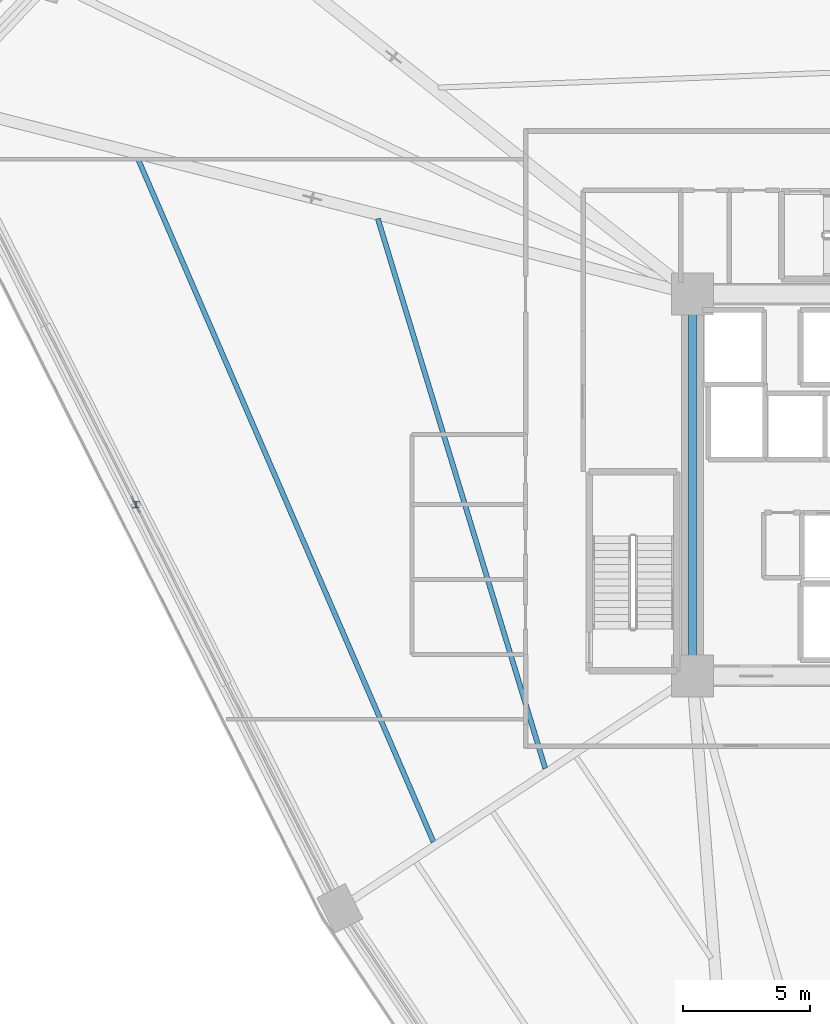
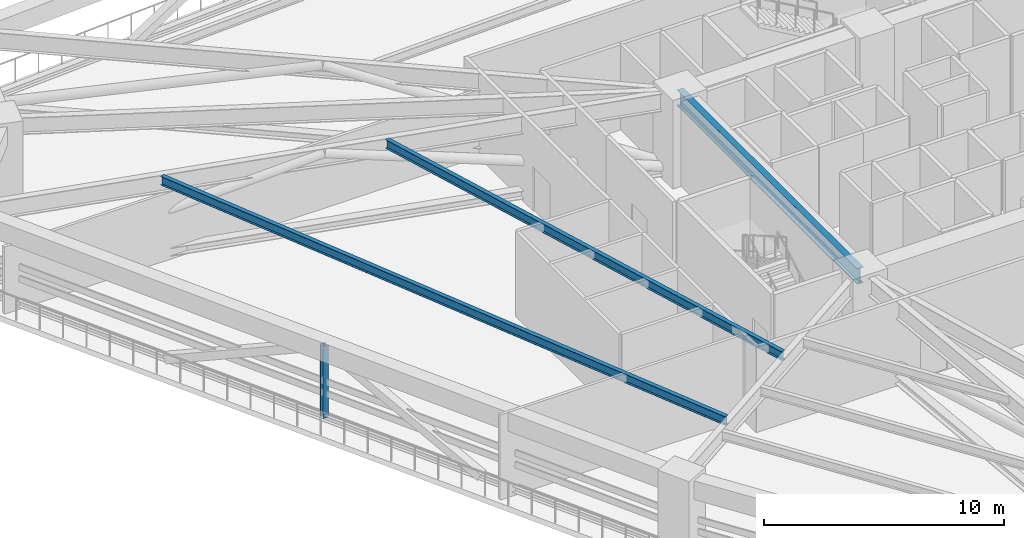
# One storey, part 6 of 25: 3 beams, 1 member.
"""IFC4 building model written with IfcOpenShell, lengths in metres."""

import ifcopenshell
import ifcopenshell.guid

model = None  # the IFC model being written
_history = None  # IfcOwnerHistory: only IFC2X3 demands one
_inside = {}  # id of a spatial element -> (the spatial element, [elements in it])
_under = {}  # id of a project, library or spatial element -> (it, [spatial elements below it])
_declared = {}  # id of a project -> (the project, [libraries it declares])
_typed = {}  # id of a type object -> (the type object, [elements of that type])
_made_of = {}  # id of a material, layer set ... -> (it, [elements and type objects made of it])


def new_model(schema):
    """Start an empty IFC model of exactly this schema.

    Asked for "IFC4X3", IfcOpenShell would pick the latest addendum, in which some entities
    have other attributes; the version numbers below select the first issue.
    IFC2X3 requires an IfcOwnerHistory on every rooted entity: one is made here for all.
    """
    global model, _history
    if schema == "IFC4X3":
        model = ifcopenshell.file(schema_version=(4, 3, 0, 0))
    else:
        model = ifcopenshell.file(schema=schema)
    _inside.clear()
    _under.clear()
    _declared.clear()
    _typed.clear()
    _made_of.clear()
    _history = None
    if model.schema == "IFC2X3":
        org = make("IfcOrganization", Name="unknown")
        user = make(
            "IfcPersonAndOrganization",
            ThePerson=make("IfcPerson", FamilyName="unknown"),
            TheOrganization=org,
        )
        app = make(
            "IfcApplication",
            ApplicationDeveloper=org,
            Version="unknown",
            ApplicationFullName="unknown",
            ApplicationIdentifier="unknown",
        )
        _history = make(
            "IfcOwnerHistory",
            OwningUser=user,
            OwningApplication=app,
            ChangeAction="ADDED",
            CreationDate=0,
        )
    return model


def make(cls, **values):
    """One entity of the class cls with the attributes given. An attribute that is None is left unset."""
    return model.create_entity(
        cls, **{name: value for name, value in values.items() if value is not None}
    )


def rooted(cls, **values):
    """An entity with a GlobalId (a new one), such as an element, a storey or a relation."""
    return make(cls, GlobalId=ifcopenshell.guid.new(), OwnerHistory=_history, **values)


def si_unit(unit_type, name, prefix=None):
    """IfcSIUnit, for example si_unit("LENGTHUNIT", "METRE", prefix="MILLI")."""
    return make("IfcSIUnit", UnitType=unit_type, Prefix=prefix, Name=name)


def assignment(units):
    """IfcUnitAssignment: the units of a project."""
    return None if units is None else make("IfcUnitAssignment", Units=units)


def point(xyz):
    """IfcCartesianPoint."""
    return None if xyz is None else make("IfcCartesianPoint", Coordinates=xyz)


def direction(xyz):
    """IfcDirection."""
    return None if xyz is None else make("IfcDirection", DirectionRatios=xyz)


def frame(location, z_axis=None, x_axis=None):
    """IfcAxis2Placement3D, a coordinate frame: its origin and axes. An axis left out is left unset."""
    return make(
        "IfcAxis2Placement3D",
        Location=point(location),
        Axis=direction(z_axis),
        RefDirection=direction(x_axis),
    )


def frame_2d(location, x_axis=None):
    """IfcAxis2Placement2D, a coordinate frame in the plane: its origin and x axis."""
    return make(
        "IfcAxis2Placement2D", Location=point(location), RefDirection=direction(x_axis)
    )


def origin():
    """The frame at (0, 0, 0) with its axes left unset."""
    return frame((0.0, 0.0, 0.0))


def origin_2d():
    """The frame at (0, 0) in the plane with its x axis left unset."""
    return frame_2d((0.0, 0.0))


def place(relative_to, where):
    """IfcLocalPlacement: puts the frame where relative to a parent placement (None: the world)."""
    return make(
        "IfcLocalPlacement", PlacementRelTo=relative_to, RelativePlacement=where
    )


def context(
    kind, dimensions, precision=None, world=None, true_north=None, identifier=None
):
    """IfcGeometricRepresentationContext, for example the 3D "Model" context."""
    return make(
        "IfcGeometricRepresentationContext",
        ContextIdentifier=identifier,
        ContextType=kind,
        CoordinateSpaceDimension=dimensions,
        Precision=precision,
        WorldCoordinateSystem=world,
        TrueNorth=true_north,
    )


def subcontext(parent, identifier, kind, view, scale=None):
    """IfcGeometricRepresentationSubContext, for example "Body" below "Model"."""
    return make(
        "IfcGeometricRepresentationSubContext",
        ContextIdentifier=identifier,
        ContextType=kind,
        ParentContext=parent,
        TargetScale=scale,
        TargetView=view,
    )


def project(units=None, contexts=None):
    """IfcProject with its units and contexts."""
    return rooted(
        "IfcProject",
        Name="project",
        RepresentationContexts=contexts,
        UnitsInContext=assignment(units),
    )


def spatial(cls, under=None, at=None, **own):
    """A site, building, storey or space (cls), placed at a placement, below another one or the project."""
    s = rooted(cls, ObjectPlacement=at, **own)
    if under is not None:
        _under.setdefault(under.id(), (under, []))[1].append(s)
    return s


def profile(cls, at=None, kind="AREA", **sizes):
    """A parametric profile (cls). Its sizes go by their IFC names, for example OverallWidth=200.0."""
    return make(cls, ProfileType=kind, Position=at, **sizes)


def i_section(**sizes):
    """IfcIShapeProfileDef."""
    return profile("IfcIShapeProfileDef", **sizes)


def extrude(swept, where, along, depth):
    """IfcExtrudedAreaSolid: the profile swept, set in the frame where, extruded along a direction by depth."""
    return make(
        "IfcExtrudedAreaSolid",
        SweptArea=swept,
        Position=where,
        ExtrudedDirection=direction(along),
        Depth=depth,
    )


def shape(context_of_items, identifier, shape_type, items):
    """IfcShapeRepresentation: the items that make up one representation, for example the "Body"."""
    return make(
        "IfcShapeRepresentation",
        ContextOfItems=context_of_items,
        RepresentationIdentifier=identifier,
        RepresentationType=shape_type,
        Items=items,
    )


def source(mapping_origin, context_of_items, identifier, shape_type, items):
    """IfcRepresentationMap: a shape defined once, which mapped items show again and again."""
    return make(
        "IfcRepresentationMap",
        MappingOrigin=mapping_origin,
        MappedRepresentation=shape(context_of_items, identifier, shape_type, items),
    )


def transform(
    local_origin,
    x_axis=None,
    y_axis=None,
    z_axis=None,
    scale=None,
    scale2=None,
    scale3=None,
    uniform=True,
):
    """IfcCartesianTransformationOperator3D, or its non-uniform kind. x_axis, y_axis, z_axis: its Axis1, 2, 3."""
    if uniform:
        return make(
            "IfcCartesianTransformationOperator3D",
            Axis1=direction(x_axis),
            Axis2=direction(y_axis),
            LocalOrigin=point(local_origin),
            Scale=scale,
            Axis3=direction(z_axis),
        )
    return make(
        "IfcCartesianTransformationOperator3DnonUniform",
        Axis1=direction(x_axis),
        Axis2=direction(y_axis),
        LocalOrigin=point(local_origin),
        Scale=scale,
        Axis3=direction(z_axis),
        Scale2=scale2,
        Scale3=scale3,
    )


def mapped(mapping_source, mapping_target):
    """IfcMappedItem: shows the shape of a source again, moved by a transform."""
    return make(
        "IfcMappedItem", MappingSource=mapping_source, MappingTarget=mapping_target
    )


def material(Name=None, Category=None):
    """IfcMaterial."""
    return make("IfcMaterial", Name=Name, Category=Category)


def material_profile(
    of_material, cross_section, Name=None, Category=None, Priority=None
):
    """IfcMaterialProfile: a cross section and its material."""
    return make(
        "IfcMaterialProfile",
        Name=Name,
        Material=of_material,
        Profile=cross_section,
        Priority=Priority,
        Category=Category,
    )


def profile_set(profiles, Name=None, composite=None):
    """IfcMaterialProfileSet."""
    return make(
        "IfcMaterialProfileSet",
        Name=Name,
        MaterialProfiles=profiles,
        CompositeProfile=composite,
    )


def made_of(thing, what):
    """Note that an element or type object is made of a material, layer set ...; save() writes the relation."""
    if what is not None:
        _made_of.setdefault(what.id(), (what, []))[1].append(thing)
    return thing


def type_object(cls, material=None, **own):
    """A type object (cls), such as IfcWallType, which elements share."""
    return made_of(rooted(cls, **own), material)


def element(
    cls,
    number,
    at=None,
    inside=None,
    cuts=None,
    type_object=None,
    material=None,
    context=None,
    identifier="Body",
    shape_type=None,
    held_by="IfcProductDefinitionShape",
    body=None,
    shapes=None,
    **own,
):
    """One element of the class cls, such as IfcWall. Its Tag is "e" and its number.

    at: its placement. inside: the storey or other place that contains it. cuts: it is an
    opening in that element (IfcRelVoidsElement). A single representation is given by context,
    identifier, shape_type and body (its items); several are given by shapes. held_by: the class
    of the entity that holds the representations. save() writes the other relations.
    """
    e = rooted(cls, Tag="e%d" % number, ObjectPlacement=at, **own)
    if body is not None:
        shapes = [shape(context, identifier, shape_type, body)]
    if shapes is not None:
        e.Representation = make(held_by, Representations=shapes)
    if inside is not None:
        _inside.setdefault(inside.id(), (inside, []))[1].append(e)
    if cuts is not None:
        rooted(
            "IfcRelVoidsElement", RelatingBuildingElement=cuts, RelatedOpeningElement=e
        )
    if type_object is not None:
        _typed.setdefault(type_object.id(), (type_object, []))[1].append(e)
    return made_of(e, material)


def aggregate(whole, parts):
    """IfcRelAggregates: a whole, such as a stair, and the parts it consists of."""
    return rooted("IfcRelAggregates", RelatingObject=whole, RelatedObjects=parts)


def save(model, path):
    """Write the relations noted so far, then the file.

    IfcRelAggregates (storeys below a building ...), IfcRelContainedInSpatialStructure (elements
    in a storey), IfcRelDefinesByType, IfcRelAssociatesMaterial and IfcRelDeclares: one each for
    every whole, place, type object, material and project.
    """
    for whole, parts in _under.values():
        aggregate(whole, parts)
    for where, things in _inside.values():
        rooted(
            "IfcRelContainedInSpatialStructure",
            RelatedElements=things,
            RelatingStructure=where,
        )
    for kind, things in _typed.values():
        rooted("IfcRelDefinesByType", RelatedObjects=things, RelatingType=kind)
    for what, things in _made_of.values():
        rooted("IfcRelAssociatesMaterial", RelatedObjects=things, RelatingMaterial=what)
    for by, libraries in _declared.values():
        rooted("IfcRelDeclares", RelatingContext=by, RelatedDefinitions=libraries)
    model.write(path)


model = new_model("IFC4")

# Units and contexts
model_context = context("Model", 3, precision=1e-05, world=origin(), true_north=direction((0.0, 1.0)))
body_context = subcontext(model_context, "Body", "Model", "MODEL_VIEW")
ifc_project = project(units=[si_unit("LENGTHUNIT", "METRE"), si_unit("AREAUNIT", "SQUARE_METRE"), si_unit("VOLUMEUNIT", "CUBIC_METRE"), si_unit("PLANEANGLEUNIT", "RADIAN"), si_unit("MASSUNIT", "GRAM", prefix="KILO")], contexts=[model_context])

# Site, building, storey
site_placement = place(None, origin())
site = spatial("IfcSite", under=ifc_project, at=site_placement, CompositionType="ELEMENT")
building_placement = place(site_placement, origin())
building = spatial("IfcBuilding", under=site, at=building_placement, Name="Liaohun Quay Tower", CompositionType="ELEMENT")
storey_placement = place(building_placement, frame((0.0, 0.0, 47.25)))
storey = spatial("IfcBuildingStorey", under=building, at=storey_placement, Name="L12", CompositionType="ELEMENT", Elevation=47.25)

# Beams
ifc_material = material(Name="Steel Q355D", Category="steel")
ifc_material_profile_1 = material_profile(ifc_material, i_section(OverallWidth=0.300048828125, OverallDepth=0.800048828125, WebThickness=0.013916015625, FlangeThickness=0.02587890625, at=origin_2d()), Name="HN800x300x14x26")
ifc_profile_set_1 = profile_set([ifc_material_profile_1], Name="Steel Q355D")
beam_type_1 = type_object("IfcBeamType", Name="BM-RAD-M1", PredefinedType="BEAM", material=ifc_profile_set_1)
shared_shape_1 = source(origin(), body_context, "Body", "SweptSolid", [
    extrude(i_section(OverallWidth=0.300048828125, OverallDepth=0.800048828125, WebThickness=0.013916015625, FlangeThickness=0.02587890625, at=origin_2d()), origin(), (0.0, 0.0, 1.0), 15.0),
])
beam_1_placement = place(storey_placement, frame((51.0, 61.5, 3.919921875), z_axis=(0.0, -1.0, 0.0), x_axis=(1.0, 0.0, 0.0)))
element("IfcBeam", 1, at=beam_1_placement, inside=storey, type_object=beam_type_1, Name="L12 Core Coupling/Ring Beam CC6-CC1", PredefinedType="BEAM", context=body_context, shape_type="MappedRepresentation", body=[
    mapped(shared_shape_1, transform((0.0, 0.0, 0.0), x_axis=(1.0, 0.0, 0.0), y_axis=(0.0, 1.0, 0.0), z_axis=(0.0, 0.0, 1.0), scale=1.0)),
])
ifc_material_profile_2 = material_profile(ifc_material, i_section(OverallWidth=0.199951171875, OverallDepth=0.449951171875, WebThickness=0.009033203125, FlangeThickness=0.013916015625, at=origin_2d()), Name="HN450x200x9x14")
ifc_profile_set_2 = profile_set([ifc_material_profile_2], Name="Steel Q355D")
beam_type_2 = type_object("IfcBeamType", Name="BM-SEC-J1", PredefinedType="JOIST", material=ifc_profile_set_2)
shared_shape_2 = source(origin(), body_context, "Body", "SweptSolid", [
    extrude(i_section(OverallWidth=0.199951171875, OverallDepth=0.449951171875, WebThickness=0.009033203125, FlangeThickness=0.013916015625, at=origin_2d()), origin(), (0.0, 0.0, 1.0), 22.57568359375),
])
beam_2_placement = place(storey_placement, frame((45.2109375, 42.867919921875, 4.094970703125), z_axis=(-0.291369456601, 0.956610599858, 0.0), x_axis=(-0.956610599858, -0.291369456601, 0.0)))
element("IfcBeam", 2, at=beam_2_placement, inside=storey, type_object=beam_type_2, Name="L12 Wing Secondary Floor Joist SJ-04", PredefinedType="JOIST", context=body_context, shape_type="MappedRepresentation", body=[
    mapped(shared_shape_2, transform((0.0, 0.0, 0.0), x_axis=(1.0, 0.0, 0.0), y_axis=(0.0, 1.0, 0.0), z_axis=(0.0, 0.0, 1.0), scale=1.0)),
])
shared_shape_3 = source(origin(), body_context, "Body", "SweptSolid", [
    extrude(i_section(OverallWidth=0.199951171875, OverallDepth=0.449951171875, WebThickness=0.009033203125, FlangeThickness=0.013916015625, at=origin_2d()), origin(), (0.0, 0.0, 1.0), 29.271484375),
])
beam_3_placement = place(storey_placement, frame((40.819091796875, 39.97802734375, 4.094970703125), z_axis=(-0.397076743854, 0.917785410371, 0.0), x_axis=(-0.917785410371, -0.397076743854, 0.0)))
element("IfcBeam", 3, at=beam_3_placement, inside=storey, type_object=beam_type_2, Name="L12 Wing Secondary Floor Joist SJ-05", PredefinedType="JOIST", context=body_context, shape_type="MappedRepresentation", body=[
    mapped(shared_shape_3, transform((0.0, 0.0, 0.0), x_axis=(1.0, 0.0, 0.0), y_axis=(0.0, 1.0, 0.0), z_axis=(0.0, 0.0, 1.0), scale=1.0)),
])

# Member
ifc_material_profile_3 = material_profile(ifc_material, i_section(OverallWidth=0.25, OverallDepth=0.25, WebThickness=0.009033203125, FlangeThickness=0.013916015625, at=origin_2d()), Name="HW250x250x9x14")
ifc_profile_set_3 = profile_set([ifc_material_profile_3], Name="Steel Q355D")
member_type = type_object("IfcMemberType", Name="MEM-BLT-PST", PredefinedType="POST", material=ifc_profile_set_3)
shared_shape_4 = source(origin(), body_context, "Body", "SweptSolid", [
    extrude(i_section(OverallWidth=0.25, OverallDepth=0.25, WebThickness=0.009033203125, FlangeThickness=0.013916015625, at=origin_2d()), origin(), (0.0, 0.0, 1.0), 3.669921875),
])
member_placement = place(storey_placement, frame((29.126953125, 53.221923828125, 0.35009765625), z_axis=(0.0, 0.0, 1.0), x_axis=(1.0, 0.0, 0.0)))
element("IfcMember", 4, at=member_placement, inside=storey, type_object=member_type, Name="L12 Belt Truss Vertical Post BP-1-02", PredefinedType="POST", context=body_context, shape_type="MappedRepresentation", body=[
    mapped(shared_shape_4, transform((0.0, 0.0, 0.0), x_axis=(1.0, 0.0, 0.0), y_axis=(0.0, 1.0, 0.0), z_axis=(0.0, 0.0, 1.0), scale=1.0)),
])

save(model, "model.ifc")
